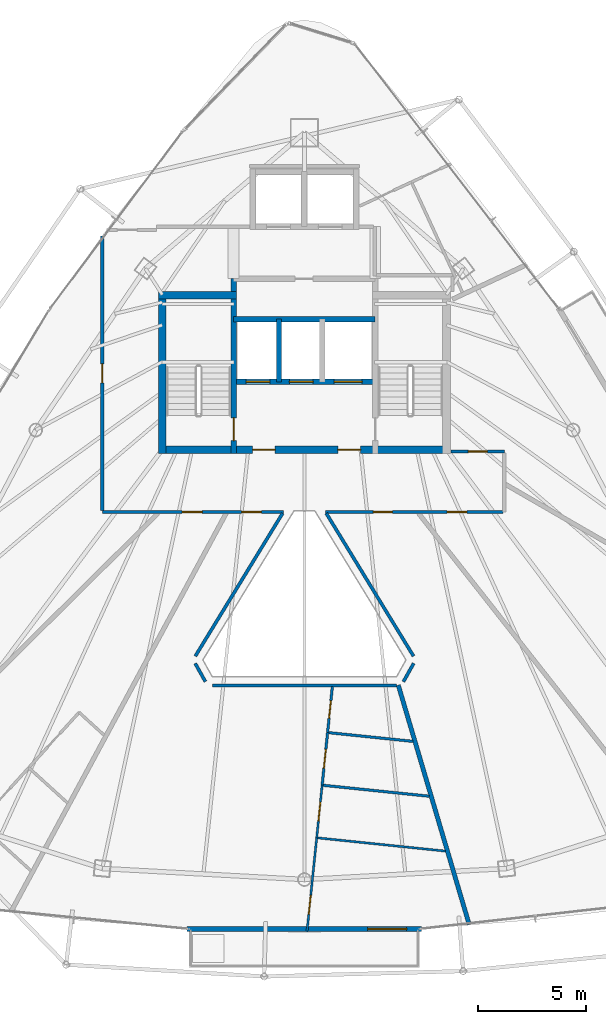
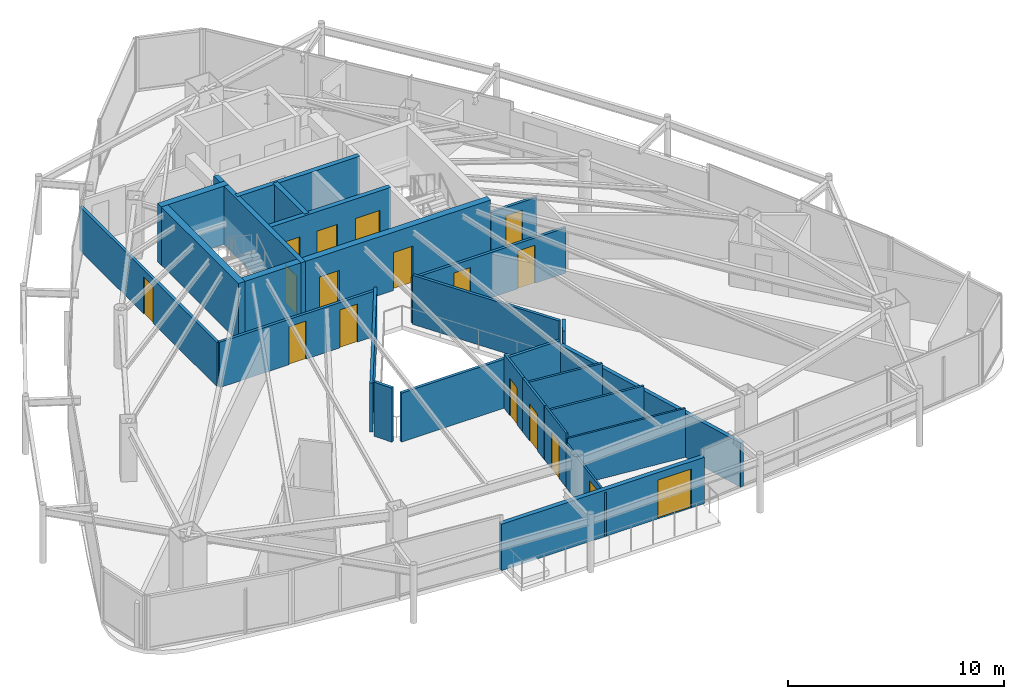
# One storey, part 29 of 34: 25 walls, 17 doors, 17 openings.
"""IFC4 building model written with IfcOpenShell, lengths in metres."""

from ifc_helpers import new_model, si_unit, direction, frame, frame_2d, origin, place, context, subcontext, project, spatial, rectangle, extrude, material, layer, layer_set, type_object, element, fill, save


model = new_model("IFC4")

# Units and contexts
model_context = context("Model", 3, precision=1e-05, world=origin(), true_north=direction((0.0, 1.0)))
body_context = subcontext(model_context, "Body", "Model", "MODEL_VIEW")
ifc_project = project(units=[si_unit("LENGTHUNIT", "METRE"), si_unit("AREAUNIT", "SQUARE_METRE"), si_unit("VOLUMEUNIT", "CUBIC_METRE"), si_unit("PLANEANGLEUNIT", "RADIAN"), si_unit("MASSUNIT", "GRAM", prefix="KILO")], contexts=[model_context])

# Site, building, storey
site_placement = place(None, origin())
site = spatial("IfcSite", under=ifc_project, at=site_placement, CompositionType="ELEMENT")
building_placement = place(site_placement, origin())
building = spatial("IfcBuilding", under=site, at=building_placement, Name="Orvanel Arch Residences", CompositionType="ELEMENT")
storey_placement = place(building_placement, frame((0.0, 0.0, 199.699951171875)))
storey = spatial("IfcBuildingStorey", under=building, at=storey_placement, Name="L56", CompositionType="ELEMENT", Elevation=199.699951171875)

# Wall, opening, door
ifc_material_1 = material(Name="Precast concrete N50 (50 MPa)", Category="concrete")
ifc_layer_1 = layer(ifc_material_1, 0.239990234375)
ifc_layer_set_1 = layer_set([ifc_layer_1], Name="Precast concrete N50 (50 MPa)")
wall_type_1 = type_object("IfcWallType", Name="EW-BAL-240", PredefinedType="SOLIDWALL", material=ifc_layer_set_1)
wall_1_placement = place(storey_placement, frame((27.572998046875, 4.554931640625, 0.0), z_axis=(0.0, 0.0, 1.0), x_axis=(1.0, 0.0, 0.0)))
wall_1 = element("IfcWall", 1, at=wall_1_placement, inside=storey, type_object=wall_type_1, Name="L56 Balcony Threshold Wall Face 2", PredefinedType="SOLIDWALL", context=body_context, shape_type="SweptSolid", body=[
    extrude(rectangle(XDim=10.85400390625, YDim=0.239990234375, at=frame_2d((5.427001953125, 0.0))), origin(), (0.0, 0.0, 1.0), 2.6240234375),
])
opening_1_placement = place(wall_1_placement, frame((8.35498046875, 0.0, 0.0)))
opening_1 = element("IfcOpeningElement", 2, at=opening_1_placement, cuts=wall_1, Name="Opening DB-180", PredefinedType="OPENING", context=body_context, shape_type="SweptSolid", body=[
    extrude(rectangle(XDim=1.800048828125, YDim=2.199951171875, at=frame_2d((0.89990234375, 1.10009765625))), frame((0.0, 0.1298828125, 0.0), z_axis=(0.0, -1.0, 0.0), x_axis=(1.0, 0.0, 0.0)), (0.0, 0.0, 1.0), 0.260009765625),
])
ifc_material_2 = material(Name="Bronze-anodised aluminium AA6063-T6", Category="aluminium")
door_type_1 = type_object("IfcDoorType", Name="DR-BAL-1800", OperationType="NOTDEFINED", PredefinedType="DOOR", material=ifc_material_2)
door_1_placement = place(opening_1_placement, origin())
door_1 = element("IfcDoor", 3, at=door_1_placement, inside=storey, type_object=door_type_1, Name="DR-L56-BAL-F2 L56 Planted Balcony Access Door Face 2", OperationType="SINGLE_SWING_RIGHT", OverallHeight=2.199951171875, OverallWidth=1.800048828125, PredefinedType="DOOR", context=body_context, shape_type="SweptSolid", body=[
    extrude(rectangle(XDim=1.800048828125, YDim=2.199951171875, at=frame_2d((0.89990234375, 1.10009765625))), frame((0.0, 0.02490234375, 0.0), z_axis=(0.0, -1.0, 0.0), x_axis=(1.0, 0.0, 0.0)), (0.0, 0.0, 1.0), 0.050048828125),
])
fill(opening_1, door_1)

ifc_material_3 = material(Name="Concrete N50 (50 MPa)", Category="concrete")
ifc_layer_2 = layer(ifc_material_3, 0.25)
ifc_layer_set_2 = layer_set([ifc_layer_2], Name="Concrete N50 (50 MPa)")
wall_type_2 = type_object("IfcWallType", Name="SW-CORE-250", PredefinedType="SHEAR", material=ifc_layer_set_2)
wall_2_placement = place(storey_placement, frame((29.72509765625, 26.550048828125, 0.0), z_axis=(0.0, 0.0, 1.0), x_axis=(0.0, 1.0, 0.0)))
wall_2 = element("IfcWall", 4, at=wall_2_placement, inside=storey, type_object=wall_type_2, Name="L56 West Inner Core Spine Shear Wall", PredefinedType="SHEAR", context=body_context, shape_type="SweptSolid", body=[
    extrude(rectangle(XDim=8.099853515625, YDim=0.25, at=frame_2d((4.0498046875, 0.0))), origin(), (0.0, 0.0, 1.0), 3.300048828125),
])
opening_2_placement = place(wall_2_placement, frame((0.60009765625, 0.0, 0.0)))
opening_2 = element("IfcOpeningElement", 5, at=opening_2_placement, cuts=wall_2, Name="Opening DF-120", PredefinedType="OPENING", context=body_context, shape_type="SweptSolid", body=[
    extrude(rectangle(XDim=1.050048828125, YDim=2.14990234375, at=frame_2d((0.52490234375, 1.074951171875))), frame((0.0, 0.135009765625, 0.0), z_axis=(0.0, -1.0, 0.0), x_axis=(1.0, 0.0, 0.0)), (0.0, 0.0, 1.0), 0.27001953125),
])
ifc_material_4 = material(Name="Galvanised steel fire-resisting door assembly", Category="steel")
door_type_2 = type_object("IfcDoorType", Name="DR-FD120-1050", OperationType="NOTDEFINED", PredefinedType="DOOR", material=ifc_material_4)
door_2_placement = place(opening_2_placement, origin())
door_2 = element("IfcDoor", 6, at=door_2_placement, inside=storey, type_object=door_type_2, Name="DR-L56-ST1 L56 Stair 1 Fire Door", OperationType="SINGLE_SWING_LEFT", OverallHeight=2.14990234375, OverallWidth=1.050048828125, PredefinedType="DOOR", context=body_context, shape_type="SweptSolid", body=[
    extrude(rectangle(XDim=1.050048828125, YDim=2.14990234375, at=frame_2d((0.52490234375, 1.074951171875))), frame((0.0, 0.02490234375, 0.0), z_axis=(0.0, -1.0, 0.0), x_axis=(1.0, 0.0, 0.0)), (0.0, 0.0, 1.0), 0.050048828125),
])
fill(opening_2, door_2)

# Wall, openings, doors
wall_3_placement = place(storey_placement, frame((36.27490234375, 29.875, 0.0), z_axis=(0.0, 0.0, 1.0), x_axis=(-1.0, 0.0, 0.0)))
wall_3 = element("IfcWall", 7, at=wall_3_placement, inside=storey, type_object=wall_type_2, Name="L56 Emergency Lift Front Core Shear Wall", PredefinedType="SHEAR", context=body_context, shape_type="SweptSolid", body=[
    extrude(rectangle(XDim=6.5498046875, YDim=0.25, at=frame_2d((3.27490234375, 0.0))), origin(), (0.0, 0.0, 1.0), 3.300048828125),
])
opening_3_placement = place(wall_3_placement, frame((4.875, 0.0, 0.0)))
opening_3 = element("IfcOpeningElement", 8, at=opening_3_placement, cuts=wall_3, Name="Opening LD-110", PredefinedType="OPENING", context=body_context, shape_type="SweptSolid", body=[
    extrude(rectangle(XDim=1.10009765625, YDim=2.199951171875, at=frame_2d((0.550048828125, 1.10009765625))), frame((0.0, 0.135009765625, 0.0), z_axis=(0.0, -1.0, 0.0), x_axis=(1.0, 0.0, 0.0)), (0.0, 0.0, 1.0), 0.27001953125),
])
opening_4_placement = place(wall_3_placement, frame((2.875, 0.0, 0.0)))
opening_4 = element("IfcOpeningElement", 9, at=opening_4_placement, cuts=wall_3, Name="Opening LD-110", PredefinedType="OPENING", context=body_context, shape_type="SweptSolid", body=[
    extrude(rectangle(XDim=1.10009765625, YDim=2.199951171875, at=frame_2d((0.550048828125, 1.10009765625))), frame((0.0, 0.135009765625, 0.0), z_axis=(0.0, -1.0, 0.0), x_axis=(1.0, 0.0, 0.0)), (0.0, 0.0, 1.0), 0.27001953125),
])
opening_5_placement = place(wall_3_placement, frame((0.60009765625, 0.0, 0.0)))
opening_5 = element("IfcOpeningElement", 10, at=opening_5_placement, cuts=wall_3, Name="Opening LD-130", PredefinedType="OPENING", context=body_context, shape_type="SweptSolid", body=[
    extrude(rectangle(XDim=1.300048828125, YDim=2.199951171875, at=frame_2d((0.64990234375, 1.10009765625))), frame((0.0, 0.135009765625, 0.0), z_axis=(0.0, -1.0, 0.0), x_axis=(1.0, 0.0, 0.0)), (0.0, 0.0, 1.0), 0.27001953125),
])
door_type_3 = type_object("IfcDoorType", Name="DR-LFT-1100", OperationType="NOTDEFINED", PredefinedType="DOOR", material=ifc_material_4)
door_3_placement = place(opening_3_placement, origin())
door_3 = element("IfcDoor", 11, at=door_3_placement, inside=storey, type_object=door_type_3, Name="LD-F1-L56 L56 Lift F1 Sliding Landing Door", OperationType="DOUBLE_DOOR_SLIDING", OverallHeight=2.199951171875, OverallWidth=1.10009765625, PredefinedType="DOOR", context=body_context, shape_type="SweptSolid", body=[
    extrude(rectangle(XDim=1.10009765625, YDim=2.199951171875, at=frame_2d((0.550048828125, 1.10009765625))), frame((0.0, 0.02490234375, 0.0), z_axis=(0.0, -1.0, 0.0), x_axis=(1.0, 0.0, 0.0)), (0.0, 0.0, 1.0), 0.050048828125),
])
fill(opening_3, door_3)
door_4_placement = place(opening_4_placement, origin())
door_4 = element("IfcDoor", 12, at=door_4_placement, inside=storey, type_object=door_type_3, Name="LD-F2-L56 L56 Lift F2 Sliding Landing Door", OperationType="DOUBLE_DOOR_SLIDING", OverallHeight=2.199951171875, OverallWidth=1.10009765625, PredefinedType="DOOR", context=body_context, shape_type="SweptSolid", body=[
    extrude(rectangle(XDim=1.10009765625, YDim=2.199951171875, at=frame_2d((0.550048828125, 1.10009765625))), frame((0.0, 0.02490234375, 0.0), z_axis=(0.0, -1.0, 0.0), x_axis=(1.0, 0.0, 0.0)), (0.0, 0.0, 1.0), 0.050048828125),
])
fill(opening_4, door_4)
door_type_4 = type_object("IfcDoorType", Name="DR-LFT-1300", OperationType="NOTDEFINED", PredefinedType="DOOR", material=ifc_material_4)
door_5_placement = place(opening_5_placement, origin())
door_5 = element("IfcDoor", 13, at=door_5_placement, inside=storey, type_object=door_type_4, Name="LD-G1-L56 L56 Lift G1 Sliding Landing Door", OperationType="DOUBLE_DOOR_SLIDING", OverallHeight=2.199951171875, OverallWidth=1.300048828125, PredefinedType="DOOR", context=body_context, shape_type="SweptSolid", body=[
    extrude(rectangle(XDim=1.300048828125, YDim=2.199951171875, at=frame_2d((0.64990234375, 1.10009765625))), frame((0.0, 0.02490234375, 0.0), z_axis=(0.0, -1.0, 0.0), x_axis=(1.0, 0.0, 0.0)), (0.0, 0.0, 1.0), 0.050048828125),
])
fill(opening_5, door_5)

# Walls
wall_4_placement = place(storey_placement, frame((29.72509765625, 32.77490234375, 0.0), z_axis=(0.0, 0.0, 1.0), x_axis=(1.0, 0.0, 0.0)))
element("IfcWall", 14, at=wall_4_placement, inside=storey, type_object=wall_type_2, Name="L56 Emergency Lift Back Core Shear Wall", PredefinedType="SHEAR", context=body_context, shape_type="SweptSolid", body=[
    extrude(rectangle(XDim=6.5498046875, YDim=0.25, at=frame_2d((3.27490234375, 0.0))), origin(), (0.0, 0.0, 1.0), 3.300048828125),
])
wall_5_placement = place(storey_placement, frame((31.824951171875, 29.875, 0.0), z_axis=(0.0, 0.0, 1.0), x_axis=(0.0, 1.0, 0.0)))
element("IfcWall", 15, at=wall_5_placement, inside=storey, type_object=wall_type_2, Name="L56 Emergency Lift Inter-Shaft Wall F12", PredefinedType="SHEAR", context=body_context, shape_type="SweptSolid", body=[
    extrude(rectangle(XDim=2.89990234375, YDim=0.25, at=frame_2d((1.449951171875, 0.0))), origin(), (0.0, 0.0, 1.0), 3.300048828125),
])

# Wall, openings, doors
ifc_layer_3 = layer(ifc_material_3, 0.35009765625)
ifc_layer_set_3 = layer_set([ifc_layer_3], Name="Concrete N50 (50 MPa)")
wall_type_3 = type_object("IfcWallType", Name="SW-CORE-350", PredefinedType="SHEAR", material=ifc_layer_set_3)
wall_6_placement = place(storey_placement, frame((26.25, 26.72509765625, 0.0), z_axis=(0.0, 0.0, 1.0), x_axis=(1.0, 0.0, 0.0)))
wall_6 = element("IfcWall", 16, at=wall_6_placement, inside=storey, type_object=wall_type_3, Name="L56 South Core Shear Wall", PredefinedType="SHEAR", context=body_context, shape_type="SweptSolid", body=[
    extrude(rectangle(XDim=13.5, YDim=0.35009765625, at=frame_2d((6.75, 0.0))), origin(), (0.0, 0.0, 1.0), 3.300048828125),
])
opening_6_placement = place(wall_6_placement, frame((4.35009765625, 0.0, 0.0)))
opening_6 = element("IfcOpeningElement", 17, at=opening_6_placement, cuts=wall_6, Name="Opening DF-060", PredefinedType="OPENING", context=body_context, shape_type="SweptSolid", body=[
    extrude(rectangle(XDim=1.050048828125, YDim=2.14990234375, at=frame_2d((0.52490234375, 1.074951171875))), frame((0.0, 0.18505859375, 0.0), z_axis=(0.0, -1.0, 0.0), x_axis=(1.0, 0.0, 0.0)), (0.0, 0.0, 1.0), 0.3701171875),
])
opening_7_placement = place(wall_6_placement, frame((8.300048828125, 0.0, 0.0)))
opening_7 = element("IfcOpeningElement", 18, at=opening_7_placement, cuts=wall_6, Name="Opening DF-060", PredefinedType="OPENING", context=body_context, shape_type="SweptSolid", body=[
    extrude(rectangle(XDim=1.050048828125, YDim=2.14990234375, at=frame_2d((0.52490234375, 1.074951171875))), frame((0.0, 0.18505859375, 0.0), z_axis=(0.0, -1.0, 0.0), x_axis=(1.0, 0.0, 0.0)), (0.0, 0.0, 1.0), 0.3701171875),
])
door_type_5 = type_object("IfcDoorType", Name="DR-FD60-1050", OperationType="NOTDEFINED", PredefinedType="DOOR", material=ifc_material_4)
door_6_placement = place(opening_6_placement, origin())
door_6 = element("IfcDoor", 19, at=door_6_placement, inside=storey, type_object=door_type_5, Name="DR-L56-FFL-W L56 West Smoke Lobby Door", OperationType="SINGLE_SWING_LEFT", OverallHeight=2.14990234375, OverallWidth=1.050048828125, PredefinedType="DOOR", context=body_context, shape_type="SweptSolid", body=[
    extrude(rectangle(XDim=1.050048828125, YDim=2.14990234375, at=frame_2d((0.52490234375, 1.074951171875))), frame((0.0, 0.02490234375, 0.0), z_axis=(0.0, -1.0, 0.0), x_axis=(1.0, 0.0, 0.0)), (0.0, 0.0, 1.0), 0.050048828125),
])
fill(opening_6, door_6)
door_7_placement = place(opening_7_placement, origin())
door_7 = element("IfcDoor", 20, at=door_7_placement, inside=storey, type_object=door_type_5, Name="DR-L56-FFL-E L56 East Smoke Lobby Door", OperationType="SINGLE_SWING_RIGHT", OverallHeight=2.14990234375, OverallWidth=1.050048828125, PredefinedType="DOOR", context=body_context, shape_type="SweptSolid", body=[
    extrude(rectangle(XDim=1.050048828125, YDim=2.14990234375, at=frame_2d((0.52490234375, 1.074951171875))), frame((0.0, 0.02490234375, 0.0), z_axis=(0.0, -1.0, 0.0), x_axis=(1.0, 0.0, 0.0)), (0.0, 0.0, 1.0), 0.050048828125),
])
fill(opening_7, door_7)

# Walls
wall_7_placement = place(storey_placement, frame((26.425048828125, 26.550048828125, 0.0), z_axis=(0.0, 0.0, 1.0), x_axis=(0.0, 1.0, 0.0)))
element("IfcWall", 21, at=wall_7_placement, inside=storey, type_object=wall_type_3, Name="L56 West Stair Shear Wall", PredefinedType="SHEAR", context=body_context, shape_type="SweptSolid", body=[
    extrude(rectangle(XDim=7.5, YDim=0.35009765625, at=frame_2d((3.75, 0.0))), origin(), (0.0, 0.0, 1.0), 3.300048828125),
])
wall_8_placement = place(storey_placement, frame((26.25, 33.875, 0.0), z_axis=(0.0, 0.0, 1.0), x_axis=(1.0, 0.0, 0.0)))
element("IfcWall", 22, at=wall_8_placement, inside=storey, type_object=wall_type_3, Name="L56 West Stair North Shear Wall", PredefinedType="SHEAR", context=body_context, shape_type="SweptSolid", body=[
    extrude(rectangle(XDim=3.60009765625, YDim=0.35009765625, at=frame_2d((1.800048828125, 0.0))), origin(), (0.0, 0.0, 1.0), 3.300048828125),
])

# Wall, openings, doors
ifc_material_5 = material(Name="Fire-rated plasterboard lined steel stud partition", Category="steel")
ifc_layer_4 = layer(ifc_material_5, 0.14990234375)
ifc_layer_set_4 = layer_set([ifc_layer_4], Name="Fire-rated plasterboard lined steel stud partition")
wall_type_4 = type_object("IfcWallType", Name="W-COR-150", PredefinedType="PARTITIONING", material=ifc_layer_set_4)
wall_9_placement = place(storey_placement, frame((32.027099609375, 23.85009765625, 0.0), z_axis=(0.0, 0.0, 1.0), x_axis=(-1.0, 0.0, 0.0)))
wall_9 = element("IfcWall", 23, at=wall_9_placement, inside=storey, type_object=wall_type_4, Name="L56 Corridor Fire-Rated Partition", PredefinedType="PARTITIONING", context=body_context, shape_type="SweptSolid", body=[
    extrude(rectangle(XDim=8.377197265625, YDim=0.14990234375, at=frame_2d((4.1884765625, 0.0))), origin(), (0.0, 0.0, 1.0), 2.56494140625),
])
opening_8_placement = place(wall_9_placement, frame((1.013916015625, 0.0, 0.0)))
opening_8 = element("IfcOpeningElement", 24, at=opening_8_placement, cuts=wall_9, Name="Opening DA-092", PredefinedType="OPENING", context=body_context, shape_type="SweptSolid", body=[
    extrude(rectangle(XDim=0.919921875, YDim=2.14990234375, at=frame_2d((0.4599609375, 1.074951171875))), frame((0.0, 0.0849609375, 0.0), z_axis=(0.0, -1.0, 0.0), x_axis=(1.0, 0.0, 0.0)), (0.0, 0.0, 1.0), 0.169921875),
])
opening_9_placement = place(wall_9_placement, frame((3.762939453125, 0.0, 0.0)))
opening_9 = element("IfcOpeningElement", 25, at=opening_9_placement, cuts=wall_9, Name="Opening DA-092", PredefinedType="OPENING", context=body_context, shape_type="SweptSolid", body=[
    extrude(rectangle(XDim=0.919921875, YDim=2.14990234375, at=frame_2d((0.4599609375, 1.074951171875))), frame((0.0, 0.0849609375, 0.0), z_axis=(0.0, -1.0, 0.0), x_axis=(1.0, 0.0, 0.0)), (0.0, 0.0, 1.0), 0.169921875),
])
ifc_material_6 = material(Name="Solid-core European oak veneer fire door leaf", Category="wood")
door_type_6 = type_object("IfcDoorType", Name="DR-APT-920", OperationType="NOTDEFINED", PredefinedType="DOOR", material=ifc_material_6)
door_8_placement = place(opening_8_placement, origin())
door_8 = element("IfcDoor", 26, at=door_8_placement, inside=storey, type_object=door_type_6, Name="DR-L56-A-ENT L56 Studio A Entrance Door", OperationType="SINGLE_SWING_RIGHT", OverallHeight=2.14990234375, OverallWidth=0.919921875, PredefinedType="DOOR", context=body_context, shape_type="SweptSolid", body=[
    extrude(rectangle(XDim=0.919921875, YDim=2.14990234375, at=frame_2d((0.4599609375, 1.074951171875))), frame((0.0, 0.02490234375, 0.0), z_axis=(0.0, -1.0, 0.0), x_axis=(1.0, 0.0, 0.0)), (0.0, 0.0, 1.0), 0.050048828125),
])
fill(opening_8, door_8)
door_9_placement = place(opening_9_placement, origin())
door_9 = element("IfcDoor", 27, at=door_9_placement, inside=storey, type_object=door_type_6, Name="DR-L56-E-ENT L56 Flat E Entrance Door", OperationType="SINGLE_SWING_RIGHT", OverallHeight=2.14990234375, OverallWidth=0.919921875, PredefinedType="DOOR", context=body_context, shape_type="SweptSolid", body=[
    extrude(rectangle(XDim=0.919921875, YDim=2.14990234375, at=frame_2d((0.4599609375, 1.074951171875))), frame((0.0, 0.02490234375, 0.0), z_axis=(0.0, -1.0, 0.0), x_axis=(1.0, 0.0, 0.0)), (0.0, 0.0, 1.0), 0.050048828125),
])
fill(opening_9, door_9)

# Wall, opening, door
wall_10_placement = place(storey_placement, frame((23.64990234375, 23.909912109375, 0.0), z_axis=(0.0, 0.0, 1.0), x_axis=(0.0, 1.0, 0.0)))
wall_10 = element("IfcWall", 28, at=wall_10_placement, inside=storey, type_object=wall_type_4, Name="L56 Corridor Fire-Rated Partition", PredefinedType="PARTITIONING", context=body_context, shape_type="SweptSolid", body=[
    extrude(rectangle(XDim=12.715087890625, YDim=0.14990234375, at=frame_2d((6.357421875, 0.0))), origin(), (0.0, 0.0, 1.0), 2.491943359375),
])
opening_10_placement = place(wall_10_placement, frame((5.9169921875, 0.0, 0.0)))
opening_10 = element("IfcOpeningElement", 29, at=opening_10_placement, cuts=wall_10, Name="Opening DI-088", PredefinedType="OPENING", context=body_context, shape_type="SweptSolid", body=[
    extrude(rectangle(XDim=0.8798828125, YDim=2.10009765625, at=frame_2d((0.43994140625, 1.050048828125))), frame((0.0, 0.0849609375, 0.0), z_axis=(0.0, -1.0, 0.0), x_axis=(1.0, 0.0, 0.0)), (0.0, 0.0, 1.0), 0.169921875),
])
door_type_7 = type_object("IfcDoorType", Name="DR-INT-880", OperationType="NOTDEFINED", PredefinedType="DOOR", material=ifc_material_6)
door_10_placement = place(opening_10_placement, origin())
door_10 = element("IfcDoor", 30, at=door_10_placement, inside=storey, type_object=door_type_7, Name="DR-L56-SHRD-FB2 L56 Co-Working Study Office B Door", OperationType="SINGLE_SWING_LEFT", OverallHeight=2.10009765625, OverallWidth=0.8798828125, PredefinedType="DOOR", context=body_context, shape_type="SweptSolid", body=[
    extrude(rectangle(XDim=0.8798828125, YDim=2.10009765625, at=frame_2d((0.43994140625, 1.050048828125))), frame((0.0, 0.02490234375, 0.0), z_axis=(0.0, -1.0, 0.0), x_axis=(1.0, 0.0, 0.0)), (0.0, 0.0, 1.0), 0.050048828125),
])
fill(opening_10, door_10)

wall_11_placement = place(storey_placement, frame((39.7900390625, 26.64990234375, 0.0), z_axis=(0.0, 0.0, 1.0), x_axis=(1.0, 0.0, 0.0)))
wall_11 = element("IfcWall", 31, at=wall_11_placement, inside=storey, type_object=wall_type_4, Name="L56 Corridor Fire-Rated Partition", PredefinedType="PARTITIONING", context=body_context, shape_type="SweptSolid", body=[
    extrude(rectangle(XDim=2.4599609375, YDim=0.14990234375, at=frame_2d((1.22998046875, 0.0))), origin(), (0.0, 0.0, 1.0), 2.56494140625),
])
opening_11_placement = place(wall_11_placement, frame((0.7900390625, 0.0, 0.0)))
opening_11 = element("IfcOpeningElement", 32, at=opening_11_placement, cuts=wall_11, Name="Opening DI-088", PredefinedType="OPENING", context=body_context, shape_type="SweptSolid", body=[
    extrude(rectangle(XDim=0.8798828125, YDim=2.10009765625, at=frame_2d((0.43994140625, 1.050048828125))), frame((0.0, 0.0849609375, 0.0), z_axis=(0.0, -1.0, 0.0), x_axis=(1.0, 0.0, 0.0)), (0.0, 0.0, 1.0), 0.169921875),
])
door_11_placement = place(opening_11_placement, origin())
door_11 = element("IfcDoor", 33, at=door_11_placement, inside=storey, type_object=door_type_7, Name="DR-L56-SHRD-FB7 L56 Co-Working Study Office G Door", OperationType="SINGLE_SWING_LEFT", OverallHeight=2.10009765625, OverallWidth=0.8798828125, PredefinedType="DOOR", context=body_context, shape_type="SweptSolid", body=[
    extrude(rectangle(XDim=0.8798828125, YDim=2.10009765625, at=frame_2d((0.43994140625, 1.050048828125))), frame((0.0, 0.02490234375, 0.0), z_axis=(0.0, -1.0, 0.0), x_axis=(1.0, 0.0, 0.0)), (0.0, 0.0, 1.0), 0.050048828125),
])
fill(opening_11, door_11)

# Wall, openings, doors
wall_12_placement = place(storey_placement, frame((42.18994140625, 23.85009765625, 0.0), z_axis=(0.0, 0.0, 1.0), x_axis=(-1.0, 0.0, 0.0)))
wall_12 = element("IfcWall", 34, at=wall_12_placement, inside=storey, type_object=wall_type_4, Name="L56 Corridor Fire-Rated Partition", PredefinedType="PARTITIONING", context=body_context, shape_type="SweptSolid", body=[
    extrude(rectangle(XDim=8.217041015625, YDim=0.14990234375, at=frame_2d((4.1083984375, 0.0))), origin(), (0.0, 0.0, 1.0), 2.56494140625),
])
opening_12_placement = place(wall_12_placement, frame((1.669921875, 0.0, 0.0)))
opening_12 = element("IfcOpeningElement", 35, at=opening_12_placement, cuts=wall_12, Name="Opening DA-092", PredefinedType="OPENING", context=body_context, shape_type="SweptSolid", body=[
    extrude(rectangle(XDim=0.919921875, YDim=2.14990234375, at=frame_2d((0.4599609375, 1.074951171875))), frame((0.0, 0.0849609375, 0.0), z_axis=(0.0, -1.0, 0.0), x_axis=(1.0, 0.0, 0.0)), (0.0, 0.0, 1.0), 0.169921875),
])
opening_13_placement = place(wall_12_placement, frame((5.1201171875, 0.0, 0.0)))
opening_13 = element("IfcOpeningElement", 36, at=opening_13_placement, cuts=wall_12, Name="Opening DI-088", PredefinedType="OPENING", context=body_context, shape_type="SweptSolid", body=[
    extrude(rectangle(XDim=0.8798828125, YDim=2.10009765625, at=frame_2d((0.43994140625, 1.050048828125))), frame((0.0, 0.0849609375, 0.0), z_axis=(0.0, -1.0, 0.0), x_axis=(1.0, 0.0, 0.0)), (0.0, 0.0, 1.0), 0.169921875),
])
door_12_placement = place(opening_12_placement, origin())
door_12 = element("IfcDoor", 37, at=door_12_placement, inside=storey, type_object=door_type_6, Name="DR-L56-C-ENT L56 Studio C Entrance Door", OperationType="SINGLE_SWING_RIGHT", OverallHeight=2.14990234375, OverallWidth=0.919921875, PredefinedType="DOOR", context=body_context, shape_type="SweptSolid", body=[
    extrude(rectangle(XDim=0.919921875, YDim=2.14990234375, at=frame_2d((0.4599609375, 1.074951171875))), frame((0.0, 0.02490234375, 0.0), z_axis=(0.0, -1.0, 0.0), x_axis=(1.0, 0.0, 0.0)), (0.0, 0.0, 1.0), 0.050048828125),
])
fill(opening_12, door_12)
door_13_placement = place(opening_13_placement, origin())
door_13 = element("IfcDoor", 38, at=door_13_placement, inside=storey, type_object=door_type_7, Name="DR-L56-SHRD-FB4 L56 Co-Working Study Office D Door", OperationType="SINGLE_SWING_LEFT", OverallHeight=2.10009765625, OverallWidth=0.8798828125, PredefinedType="DOOR", context=body_context, shape_type="SweptSolid", body=[
    extrude(rectangle(XDim=0.8798828125, YDim=2.10009765625, at=frame_2d((0.43994140625, 1.050048828125))), frame((0.0, 0.02490234375, 0.0), z_axis=(0.0, -1.0, 0.0), x_axis=(1.0, 0.0, 0.0)), (0.0, 0.0, 1.0), 0.050048828125),
])
fill(opening_13, door_13)

# Walls
wall_13_placement = place(storey_placement, frame((34.010009765625, 23.7900390625, 0.0), z_axis=(0.0, 0.0, 1.0), x_axis=(0.521316137909, -0.853363629618, 0.0)))
element("IfcWall", 39, at=wall_13_placement, inside=storey, type_object=wall_type_4, Name="L56 Atrium Overlook Glazed Partition", PredefinedType="PARTITIONING", context=body_context, shape_type="SweptSolid", body=[
    extrude(rectangle(XDim=7.745849609375, YDim=0.14990234375, at=frame_2d((3.873046875, 0.0))), origin(), (0.0, 0.0, 1.0), 2.77294921875),
])
wall_14_placement = place(storey_placement, frame((38.053955078125, 16.843994140625, 0.0), z_axis=(0.0, 0.0, 1.0), x_axis=(-0.488810833005, -0.872389803664, 0.0)))
element("IfcWall", 40, at=wall_14_placement, inside=storey, type_object=wall_type_4, Name="L56 Atrium Overlook Glazed Partition", PredefinedType="PARTITIONING", context=body_context, shape_type="SweptSolid", body=[
    extrude(rectangle(XDim=0.967529296875, YDim=0.14990234375, at=frame_2d((0.48388671875, 0.0))), origin(), (0.0, 0.0, 1.0), 3.06005859375),
])
wall_15_placement = place(storey_placement, frame((37.2529296875, 15.827880859375, 0.0), z_axis=(0.0, 0.0, 1.0), x_axis=(-1.0, 0.0, 0.0)))
element("IfcWall", 41, at=wall_15_placement, inside=storey, type_object=wall_type_4, Name="L56 Atrium Overlook Glazed Partition", PredefinedType="PARTITIONING", context=body_context, shape_type="SweptSolid", body=[
    extrude(rectangle(XDim=8.505859375, YDim=0.14990234375, at=frame_2d((4.2529296875, 0.0))), origin(), (0.0, 0.0, 1.0), 2.77294921875),
])
wall_16_placement = place(storey_placement, frame((28.4189453125, 16.0, 0.0), z_axis=(0.0, 0.0, 1.0), x_axis=(-0.488810833005, 0.872389803664, 0.0)))
element("IfcWall", 42, at=wall_16_placement, inside=storey, type_object=wall_type_4, Name="L56 Atrium Overlook Glazed Partition", PredefinedType="PARTITIONING", context=body_context, shape_type="SweptSolid", body=[
    extrude(rectangle(XDim=0.967529296875, YDim=0.14990234375, at=frame_2d((0.48388671875, 0.0))), origin(), (0.0, 0.0, 1.0), 3.06005859375),
])
wall_17_placement = place(storey_placement, frame((27.951904296875, 17.179931640625, 0.0), z_axis=(0.0, 0.0, 1.0), x_axis=(0.521316137909, 0.853363629618, 0.0)))
element("IfcWall", 43, at=wall_17_placement, inside=storey, type_object=wall_type_4, Name="L56 Atrium Overlook Glazed Partition", PredefinedType="PARTITIONING", context=body_context, shape_type="SweptSolid", body=[
    extrude(rectangle(XDim=7.745849609375, YDim=0.14990234375, at=frame_2d((3.873046875, 0.0))), origin(), (0.0, 0.0, 1.0), 2.77294921875),
])
ifc_layer_5 = layer(ifc_material_5, 0.199951171875)
ifc_layer_set_5 = layer_set([ifc_layer_5], Name="Fire-rated plasterboard lined steel stud partition")
wall_type_5 = type_object("IfcWallType", Name="W-DEM-200", PredefinedType="PARTITIONING", material=ifc_layer_set_5)
wall_18_placement = place(storey_placement, frame((37.343017578125, 15.839111328125, 0.0), z_axis=(0.0, 0.0, 1.0), x_axis=(0.28399703203, -0.958825159139, 0.0)))
element("IfcWall", 44, at=wall_18_placement, inside=storey, type_object=wall_type_5, Name="L56 Inter-Tenancy Acoustic Demising Wall", PredefinedType="PARTITIONING", context=body_context, shape_type="SweptSolid", body=[
    extrude(rectangle(XDim=11.563232421875, YDim=0.199951171875, at=frame_2d((5.78173828125, 0.0))), origin(), (0.0, 0.0, 1.0), 2.491943359375),
])

# Wall, opening, door
ifc_material_7 = material(Name="Acoustic plasterboard lined twin-stud partition", Category="gypsum")
ifc_layer_6 = layer(ifc_material_7, 0.10009765625)
ifc_layer_set_6 = layer_set([ifc_layer_6], Name="Acoustic plasterboard lined twin-stud partition")
wall_type_6 = type_object("IfcWallType", Name="W-INT-100", PredefinedType="PARTITIONING", material=ifc_layer_set_6)
wall_19_placement = place(storey_placement, frame((33.568115234375, 8.77587890625, 0.0), z_axis=(0.0, 0.0, 1.0), x_axis=(-0.1029239069, -0.994689232569, 0.0)))
wall_19 = element("IfcWall", 45, at=wall_19_placement, inside=storey, type_object=wall_type_6, Name="L56 Studio A Internal Partition", PredefinedType="PARTITIONING", context=body_context, shape_type="SweptSolid", body=[
    extrude(rectangle(XDim=4.3740234375, YDim=0.10009765625, at=frame_2d((2.18701171875, 0.0))), origin(), (0.0, 0.0, 1.0), 2.491943359375),
])
opening_14_placement = place(wall_19_placement, frame((2.681884765625, 0.0, 0.0)))
opening_14 = element("IfcOpeningElement", 46, at=opening_14_placement, cuts=wall_19, Name="Opening DI-088", PredefinedType="OPENING", context=body_context, shape_type="SweptSolid", body=[
    extrude(rectangle(XDim=0.8798828125, YDim=2.10009765625, at=frame_2d((0.43994140625, 1.050048828125))), frame((0.0, 0.06005859375, 0.0), z_axis=(0.0, -1.0, 0.0), x_axis=(1.0, 0.0, 0.0)), (0.0, 0.0, 1.0), 0.1201171875),
])
door_14_placement = place(opening_14_placement, origin())
door_14 = element("IfcDoor", 47, at=door_14_placement, inside=storey, type_object=door_type_7, Name="DR-L56-A-RCP1 L56 Studio A Private Concierge Reception 1 Door", OperationType="SINGLE_SWING_LEFT", OverallHeight=2.10009765625, OverallWidth=0.8798828125, PredefinedType="DOOR", context=body_context, shape_type="SweptSolid", body=[
    extrude(rectangle(XDim=0.8798828125, YDim=2.10009765625, at=frame_2d((0.43994140625, 1.050048828125))), frame((0.0, 0.02490234375, 0.0), z_axis=(0.0, -1.0, 0.0), x_axis=(1.0, 0.0, 0.0)), (0.0, 0.0, 1.0), 0.050048828125),
])
fill(opening_14, door_14)

wall_20_placement = place(storey_placement, frame((33.820068359375, 11.2099609375, 0.0), z_axis=(0.0, 0.0, 1.0), x_axis=(-0.102960420087, -0.994685453747, 0.0)))
wall_20 = element("IfcWall", 48, at=wall_20_placement, inside=storey, type_object=wall_type_6, Name="L56 Studio A Internal Partition", PredefinedType="PARTITIONING", context=body_context, shape_type="SweptSolid", body=[
    extrude(rectangle(XDim=2.447021484375, YDim=0.10009765625, at=frame_2d((1.2236328125, 0.0))), origin(), (0.0, 0.0, 1.0), 3.06005859375),
])
opening_15_placement = place(wall_20_placement, frame((0.783935546875, 0.0, 0.0)))
opening_15 = element("IfcOpeningElement", 49, at=opening_15_placement, cuts=wall_20, Name="Opening DI-088", PredefinedType="OPENING", context=body_context, shape_type="SweptSolid", body=[
    extrude(rectangle(XDim=0.8798828125, YDim=2.10009765625, at=frame_2d((0.43994140625, 1.050048828125))), frame((0.0, 0.06005859375, 0.0), z_axis=(0.0, -1.0, 0.0), x_axis=(1.0, 0.0, 0.0)), (0.0, 0.0, 1.0), 0.1201171875),
])
door_15_placement = place(opening_15_placement, origin())
door_15 = element("IfcDoor", 50, at=door_15_placement, inside=storey, type_object=door_type_7, Name="DR-L56-A-RCP2 L56 Studio A Private Concierge Reception 2 Door", OperationType="SINGLE_SWING_LEFT", OverallHeight=2.10009765625, OverallWidth=0.8798828125, PredefinedType="DOOR", context=body_context, shape_type="SweptSolid", body=[
    extrude(rectangle(XDim=0.8798828125, YDim=2.10009765625, at=frame_2d((0.43994140625, 1.050048828125))), frame((0.0, 0.02490234375, 0.0), z_axis=(0.0, -1.0, 0.0), x_axis=(1.0, 0.0, 0.0)), (0.0, 0.0, 1.0), 0.050048828125),
])
fill(opening_15, door_15)

# Wall
wall_21_placement = place(storey_placement, frame((33.568115234375, 8.77587890625, 0.0), z_axis=(0.0, 0.0, 1.0), x_axis=(0.994686760155, -0.102947798284, 0.0)))
element("IfcWall", 51, at=wall_21_placement, inside=storey, type_object=wall_type_6, Name="L56 Studio A Internal Partition", PredefinedType="PARTITIONING", context=body_context, shape_type="SweptSolid", body=[
    extrude(rectangle(XDim=5.99267578125, YDim=0.10009765625, at=frame_2d((2.996337890625, 0.0))), origin(), (0.0, 0.0, 1.0), 2.77294921875),
])

# Wall, opening, door
ifc_layer_7 = layer(ifc_material_7, 0.1201171875)
ifc_layer_set_7 = layer_set([ifc_layer_7], Name="Acoustic plasterboard lined twin-stud partition")
wall_type_7 = type_object("IfcWallType", Name="W-WET-120", PredefinedType="PARTITIONING", material=ifc_layer_set_7)
wall_22_placement = place(storey_placement, frame((34.2919921875, 15.76806640625, 0.0), z_axis=(0.0, 0.0, 1.0), x_axis=(-0.103059151492, -0.994675229054, 0.0)))
wall_22 = element("IfcWall", 52, at=wall_22_placement, inside=storey, type_object=wall_type_7, Name="L56 Studio A Bathroom Partition", PredefinedType="PARTITIONING", context=body_context, shape_type="SweptSolid", body=[
    extrude(rectangle(XDim=2.134521484375, YDim=0.1201171875, at=frame_2d((1.0673828125, 0.0))), origin(), (0.0, 0.0, 1.0), 3.06005859375),
])
opening_16_placement = place(wall_22_placement, frame((0.656982421875, 0.0, 0.0)))
opening_16 = element("IfcOpeningElement", 53, at=opening_16_placement, cuts=wall_22, Name="Opening DW-082", PredefinedType="OPENING", context=body_context, shape_type="SweptSolid", body=[
    extrude(rectangle(XDim=0.820068359375, YDim=2.10009765625, at=frame_2d((0.41015625, 1.050048828125))), frame((0.0, 0.070068359375, 0.0), z_axis=(0.0, -1.0, 0.0), x_axis=(1.0, 0.0, 0.0)), (0.0, 0.0, 1.0), 0.14013671875),
])
door_type_8 = type_object("IfcDoorType", Name="DR-WET-820", OperationType="NOTDEFINED", PredefinedType="DOOR", material=ifc_material_6)
door_16_placement = place(opening_16_placement, origin())
door_16 = element("IfcDoor", 54, at=door_16_placement, inside=storey, type_object=door_type_8, Name="DR-L56-A-BATH L56 Studio A Bathroom Door", OperationType="SINGLE_SWING_RIGHT", OverallHeight=2.10009765625, OverallWidth=0.820068359375, PredefinedType="DOOR", context=body_context, shape_type="SweptSolid", body=[
    extrude(rectangle(XDim=0.820068359375, YDim=2.10009765625, at=frame_2d((0.41015625, 1.050048828125))), frame((0.0, 0.02490234375, 0.0), z_axis=(0.0, -1.0, 0.0), x_axis=(1.0, 0.0, 0.0)), (0.0, 0.0, 1.0), 0.050048828125),
])
fill(opening_16, door_16)

wall_23_placement = place(storey_placement, frame((34.072021484375, 13.64501953125, 0.0), z_axis=(0.0, 0.0, 1.0), x_axis=(-0.102919566026, -0.994689681724, 0.0)))
wall_23 = element("IfcWall", 55, at=wall_23_placement, inside=storey, type_object=wall_type_7, Name="L56 Studio A Internal Partition", PredefinedType="PARTITIONING", context=body_context, shape_type="SweptSolid", body=[
    extrude(rectangle(XDim=2.447998046875, YDim=0.1201171875, at=frame_2d((1.22412109375, 0.0))), origin(), (0.0, 0.0, 1.0), 3.06005859375),
])
opening_17_placement = place(wall_23_placement, frame((0.783935546875, 0.0, 0.0)))
opening_17 = element("IfcOpeningElement", 56, at=opening_17_placement, cuts=wall_23, Name="Opening DI-088", PredefinedType="OPENING", context=body_context, shape_type="SweptSolid", body=[
    extrude(rectangle(XDim=0.8798828125, YDim=2.10009765625, at=frame_2d((0.43994140625, 1.050048828125))), frame((0.0, 0.070068359375, 0.0), z_axis=(0.0, -1.0, 0.0), x_axis=(1.0, 0.0, 0.0)), (0.0, 0.0, 1.0), 0.14013671875),
])
door_17_placement = place(opening_17_placement, origin())
door_17 = element("IfcDoor", 57, at=door_17_placement, inside=storey, type_object=door_type_7, Name="DR-L56-A-KIT L56 Studio A Kitchenette Door", OperationType="SINGLE_SWING_LEFT", OverallHeight=2.10009765625, OverallWidth=0.8798828125, PredefinedType="DOOR", context=body_context, shape_type="SweptSolid", body=[
    extrude(rectangle(XDim=0.8798828125, YDim=2.10009765625, at=frame_2d((0.43994140625, 1.050048828125))), frame((0.0, 0.02490234375, 0.0), z_axis=(0.0, -1.0, 0.0), x_axis=(1.0, 0.0, 0.0)), (0.0, 0.0, 1.0), 0.050048828125),
])
fill(opening_17, door_17)

# Walls
wall_24_placement = place(storey_placement, frame((38.02490234375, 13.236083984375, 0.0), z_axis=(0.0, 0.0, 1.0), x_axis=(-0.99469136016, 0.102903343108, 0.0)))
element("IfcWall", 58, at=wall_24_placement, inside=storey, type_object=wall_type_7, Name="L56 Studio A Bathroom Partition", PredefinedType="PARTITIONING", context=body_context, shape_type="SweptSolid", body=[
    extrude(rectangle(XDim=3.973876953125, YDim=0.1201171875, at=frame_2d((1.98681640625, 0.0))), origin(), (0.0, 0.0, 1.0), 2.77294921875),
])
wall_25_placement = place(storey_placement, frame((38.777099609375, 10.697998046875, 0.0), z_axis=(0.0, 0.0, 1.0), x_axis=(-0.994708898019, 0.102733676081, 0.0)))
element("IfcWall", 59, at=wall_25_placement, inside=storey, type_object=wall_type_7, Name="L56 Studio A Internal Partition", PredefinedType="PARTITIONING", context=body_context, shape_type="SweptSolid", body=[
    extrude(rectangle(XDim=4.9833984375, YDim=0.1201171875, at=frame_2d((2.49169921875, 0.0))), origin(), (0.0, 0.0, 1.0), 2.77294921875),
])

save(model, "model.ifc")
